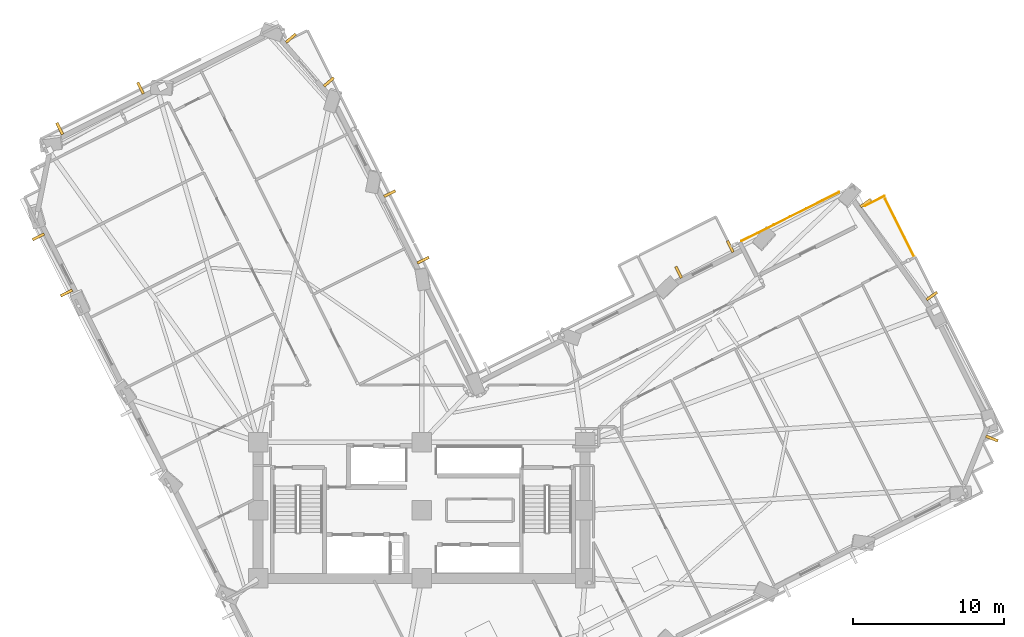
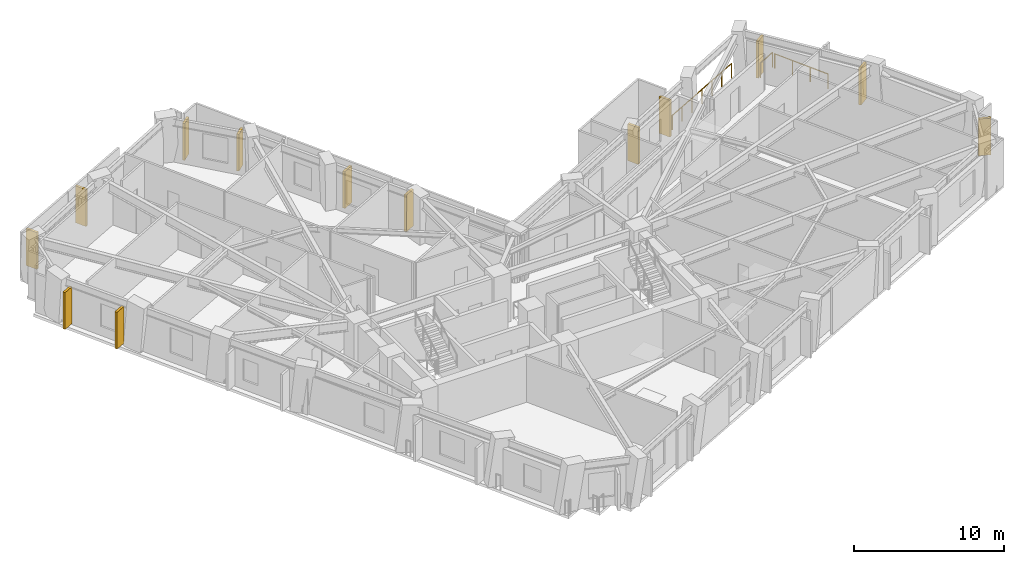
# One storey, part 15 of 16: 13 shading devices, 3 railings.
"""IFC4 building model written with IfcOpenShell, lengths in metres."""

from ifc_helpers import new_model, si_unit, direction, frame, origin, origin_2d, place, context, subcontext, project, spatial, rectangle, circle, extrude, material, layer, layer_set, type_object, element, save


model = new_model("IFC4")

# Units and contexts
model_context = context("Model", 3, precision=1e-05, world=origin(), true_north=direction((0.0, 1.0)))
body_context = subcontext(model_context, "Body", "Model", "MODEL_VIEW")
ifc_project = project(units=[si_unit("LENGTHUNIT", "METRE"), si_unit("AREAUNIT", "SQUARE_METRE"), si_unit("VOLUMEUNIT", "CUBIC_METRE"), si_unit("PLANEANGLEUNIT", "RADIAN"), si_unit("MASSUNIT", "GRAM", prefix="KILO")], contexts=[model_context])

# Site, building, storey
site_placement = place(None, origin())
site = spatial("IfcSite", under=ifc_project, at=site_placement, CompositionType="ELEMENT")
building_placement = place(site_placement, origin())
building = spatial("IfcBuilding", under=site, at=building_placement, Name="Gaonmaruhae Medical Tower", CompositionType="ELEMENT")
storey_placement = place(building_placement, frame((0.0, 0.0, 136.39990234375)))
storey = spatial("IfcBuildingStorey", under=building, at=storey_placement, Name="L32", CompositionType="ELEMENT", Elevation=136.39990234375)

# Railings
ifc_material_1 = material(Name="Stainless steel 316L and laminated safety glass", Category="steel")
ifc_layer = layer(ifc_material_1, 0.080078125)
ifc_layer_set = layer_set([ifc_layer], Name="Stainless steel 316L and laminated safety glass")
railing_type = type_object("IfcRailingType", Name="GD-120 Outdoor Terrace Safety Glass & Steel Balustrade", PredefinedType="BALUSTRADE", material=ifc_layer_set)
railing_1_placement = place(storey_placement, frame((52.377685546875, 33.30859375, 0.0)))
element("IfcRailing", 1, at=railing_1_placement, inside=storey, type_object=railing_type, Name="L32 Terrace Safety Guard RL-SLB-L32-TER-03", PredefinedType="BALUSTRADE", context=body_context, shape_type="SweptSolid", body=[
    extrude(circle(Radius=0.02392578125, at=origin_2d()), frame((0.0, 0.0, 1.17578125), z_axis=(-0.894148963529, -0.447769618241, 0.0), x_axis=(0.447769618241, -0.894148963529, 0.0)), (0.0, 0.0, 1.0), 7.199951171875),
    extrude(circle(Radius=0.02099609375, at=origin_2d()), origin(), (0.0, 0.0, 1.0), 1.15185546875),
    extrude(circle(Radius=0.02099609375, at=origin_2d()), frame((-1.072998046875, -0.537353515625, 0.0)), (0.0, 0.0, 1.0), 1.15185546875),
    extrude(circle(Radius=0.02099609375, at=origin_2d()), frame((-2.14599609375, -1.07470703125, 0.0)), (0.0, 0.0, 1.0), 1.15185546875),
    extrude(circle(Radius=0.02099609375, at=origin_2d()), frame((-3.21875, -1.61181640625, 0.0)), (0.0, 0.0, 1.0), 1.15185546875),
    extrude(circle(Radius=0.02099609375, at=origin_2d()), frame((-4.291748046875, -2.149169921875, 0.0)), (0.0, 0.0, 1.0), 1.15185546875),
    extrude(circle(Radius=0.02099609375, at=origin_2d()), frame((-5.36474609375, -2.6865234375, 0.0)), (0.0, 0.0, 1.0), 1.15185546875),
    extrude(circle(Radius=0.02099609375, at=origin_2d()), frame((-6.437744140625, -3.223876953125, 0.0)), (0.0, 0.0, 1.0), 1.15185546875),
])
railing_2_placement = place(storey_placement, frame((54.082275390625, 32.40625, 0.0)))
element("IfcRailing", 2, at=railing_2_placement, inside=storey, type_object=railing_type, Name="L32 Perimeter Slab Edge Safety Balustrade 01", PredefinedType="BALUSTRADE", context=body_context, shape_type="SweptSolid", body=[
    extrude(circle(Radius=0.02392578125, at=origin_2d()), frame((0.0, 0.0, 1.17578125), z_axis=(0.894125992195, 0.447815486647, 0.0), x_axis=(-0.447815486647, 0.894125992195, 0.0)), (0.0, 0.0, 1.0), 1.4599609375),
    extrude(circle(Radius=0.02099609375, at=origin_2d()), origin(), (0.0, 0.0, 1.0), 1.15185546875),
    extrude(circle(Radius=0.02099609375, at=origin_2d()), frame((1.305419921875, 0.65380859375, 0.0)), (0.0, 0.0, 1.0), 1.15185546875),
])
railing_3_placement = place(storey_placement, frame((55.435791015625, 32.852294921875, 0.0)))
element("IfcRailing", 3, at=railing_3_placement, inside=storey, type_object=railing_type, Name="L32 Perimeter Slab Edge Safety Balustrade 02", PredefinedType="BALUSTRADE", context=body_context, shape_type="SweptSolid", body=[
    extrude(circle(Radius=0.02392578125, at=origin_2d()), frame((0.0, 0.0, 1.17578125), z_axis=(0.447762772947, -0.894152391465, 0.0), x_axis=(0.894152391465, 0.447762772947, 0.0)), (0.0, 0.0, 1.0), 4.26708984375),
    extrude(circle(Radius=0.02099609375, at=origin_2d()), origin(), (0.0, 0.0, 1.0), 1.15185546875),
    extrude(circle(Radius=0.02099609375, at=origin_2d()), frame((0.636962890625, -1.271728515625, 0.0)), (0.0, 0.0, 1.0), 1.15185546875),
    extrude(circle(Radius=0.02099609375, at=origin_2d()), frame((1.273681640625, -2.543701171875, 0.0)), (0.0, 0.0, 1.0), 1.15185546875),
    extrude(circle(Radius=0.02099609375, at=origin_2d()), frame((1.91064453125, -3.8154296875, 0.0)), (0.0, 0.0, 1.0), 1.15185546875),
])

# Shading devices
ifc_material_2 = material(Name="Pigmented coral precast concrete C45/55", Category="concrete")
shading_device_type = type_object("IfcShadingDeviceType", Name="SD-FIN1 Tower Vertical Coral Precast Shading Fin", PredefinedType="USERDEFINED", material=ifc_material_2)
for number, where, z_axis, x_axis, name in (
    (4, (62.47900390625, 17.03759765625, 0.08251953125), (0.0, 0.0, 1.0), (-0.37382970632, -0.927497358849, 0.0), "L32 Vertical Coral Precast Shading Fin S07"),
    (5, (54.139892578125, 32.596923828125, 0.08251953125), (0.0, 0.0, 1.0), (0.579138896882, -0.81522888695, 0.0), "L32 Vertical Coral Precast Shading Fin E02"),
    (6, (58.50537109375, 26.4521484375, 0.08251953125), (0.0, 0.0, 1.0), (0.579138896882, -0.81522888695, 0.0), "L32 Vertical Coral Precast Shading Fin E02B"),
    (7, (41.77783203125, 28.01708984375, 0.072509765625), (0.0, 0.0, 1.0), (0.894146421833, 0.447774693706, 0.0), "L32 Vertical Coral Precast Shading Fin EN01"),
    (8, (45.19091796875, 29.726318359375, 0.072509765625), (0.0, 0.0, 1.0), (0.894146421833, 0.447774693706, 0.0), "L32 Vertical Coral Precast Shading Fin EN01B"),
    (9, (22.691162109375, 33.218017578125, 0.08251953125), (0.0, 0.0, 1.0), (0.447759087839, -0.894154236839, 0.0), "L32 Vertical Coral Precast Shading Fin NE01"),
    (10, (24.8955078125, 28.816162109375, 0.08251953125), (0.0, 0.0, 1.0), (0.447759087839, -0.894154236839, 0.0), "L32 Vertical Coral Precast Shading Fin NE01B"),
    (11, (16.159912109375, 43.485595703125, 0.08251953125), (0.0, 0.0, 1.0), (0.655808721748, -0.754927096135, 0.0), "L32 Vertical Coral Precast Shading Fin NE03"),
    (12, (18.6708984375, 40.59521484375, 0.08251953125), (0.0, 0.0, 1.0), (0.655808721748, -0.754927096135, 0.0), "L32 Vertical Coral Precast Shading Fin NE03B"),
    (13, (0.8876953125, 37.513427734375, 0.08251953125), (0.0, 0.0, 1.0), (0.894162051574, 0.447743481835, 0.0), "L32 Vertical Coral Precast Shading Fin N02"),
    (14, (6.22607421875, 40.186767578125, 0.08251953125), (0.0, 0.0, 1.0), (0.894162051574, 0.447743481835, 0.0), "L32 Vertical Coral Precast Shading Fin N02B"),
    (15, (1.340576171875, 26.653564453125, 0.08251953125), (0.0, 0.0, 1.0), (-0.447759087839, 0.894154236839, 0.0), "L32 Vertical Coral Precast Shading Fin W01"),
    (16, (-0.520263671875, 30.369384765625, 0.08251953125), (0.0, 0.0, 1.0), (-0.447759087839, 0.894154236839, 0.0), "L32 Vertical Coral Precast Shading Fin W01B"),
):
    element("IfcShadingDevice", number, at=place(storey_placement, frame(where, z_axis=z_axis, x_axis=x_axis)), inside=storey, type_object=shading_device_type, Name=name, ObjectType="FIN", PredefinedType="USERDEFINED", context=body_context, shape_type="SweptSolid", body=[
        extrude(rectangle(XDim=0.179931640625, YDim=0.85009765625, at=origin_2d()), origin(), (0.0, 0.0, 1.0), 3.0),
    ])

save(model, "model.ifc")
